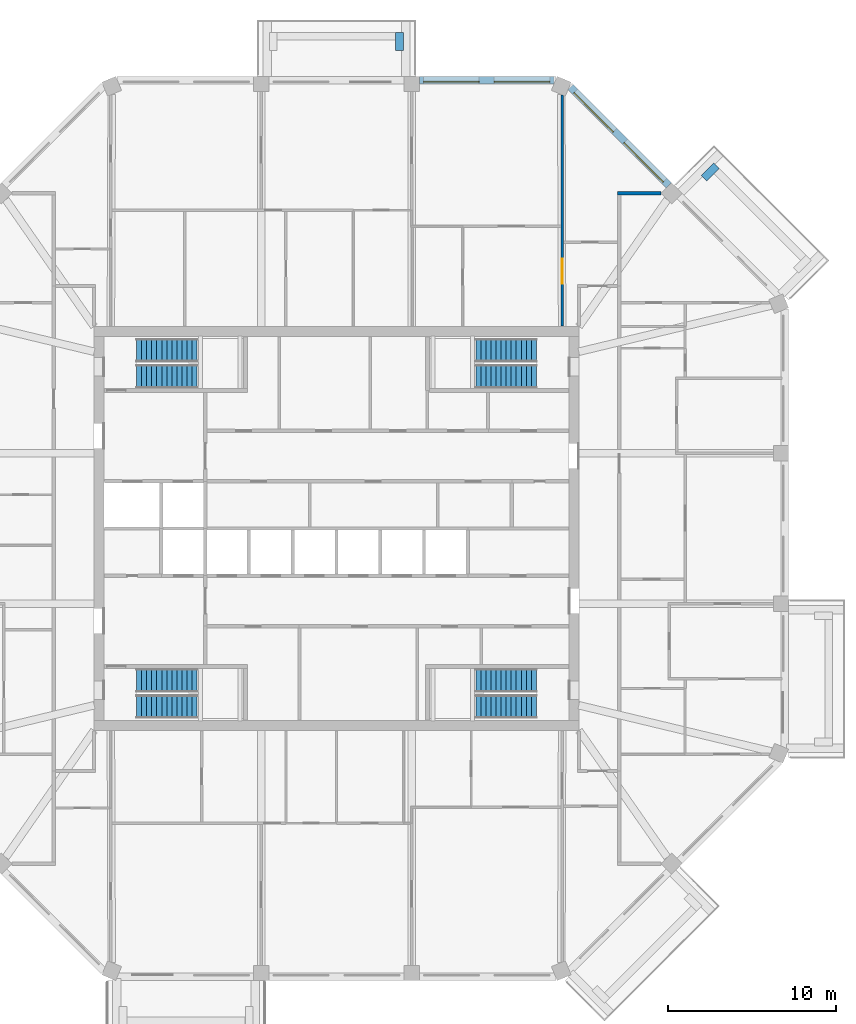
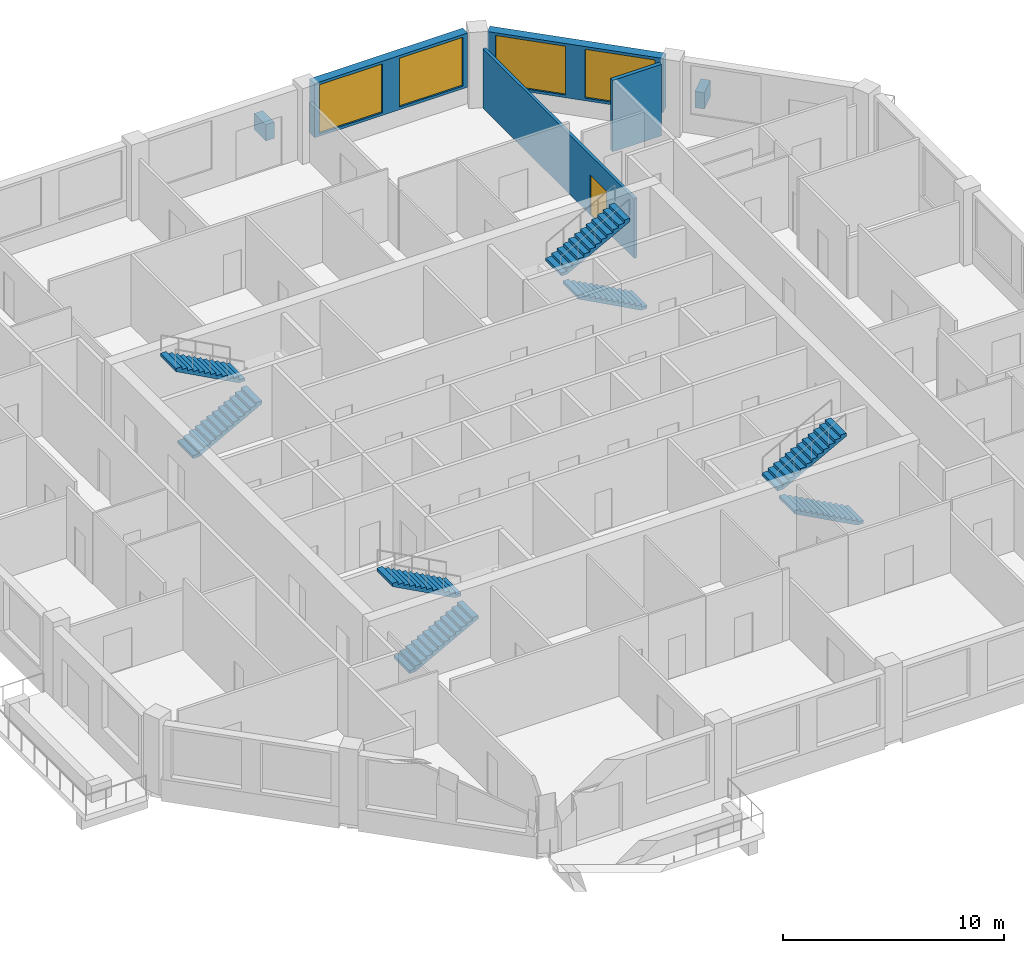
# One storey, part 10 of 11: 8 stair flights, 6 walls, 4 windows, 1 door, 5 openings, 4 elements without a shape of their own.
"""IFC4 building model written with IfcOpenShell, lengths in metres."""

from ifc_helpers import new_model, si_unit, direction, frame, frame_2d, origin, place, context, subcontext, project, spatial, polyline, rectangle, outline, extrude, material, layer, layer_set, type_object, element, fill, aggregate, save


model = new_model("IFC4")

# Units and contexts
model_context = context("Model", 3, precision=1e-05, world=origin(), true_north=direction((0.0, 1.0)))
body_context = subcontext(model_context, "Body", "Model", "MODEL_VIEW")
ifc_project = project(units=[si_unit("LENGTHUNIT", "METRE"), si_unit("AREAUNIT", "SQUARE_METRE"), si_unit("VOLUMEUNIT", "CUBIC_METRE"), si_unit("PLANEANGLEUNIT", "RADIAN"), si_unit("MASSUNIT", "GRAM", prefix="KILO")], contexts=[model_context])

# Site, building, storey
site_placement = place(None, origin())
site = spatial("IfcSite", under=ifc_project, at=site_placement, CompositionType="ELEMENT")
building_placement = place(site_placement, origin())
building = spatial("IfcBuilding", under=site, at=building_placement, Name="Msitu Wima Residences", CompositionType="ELEMENT")
storey_placement = place(building_placement, frame((0.0, 0.0, 293.699951171875)))
storey = spatial("IfcBuildingStorey", under=building, at=storey_placement, Name="L68", CompositionType="ELEMENT", Elevation=293.699951171875)

# Walls
ifc_material_1 = material(Name="Facing brick")
ifc_layer_1 = layer(ifc_material_1, 0.06494140625, Name="Facing brick")
ifc_material_2 = material(Name="Concrete C40/50", Category="concrete")
ifc_layer_2 = layer(ifc_material_2, 0.156005859375, Name="Concrete C40/50")
ifc_material_3 = material(Name="Waterproofing membrane")
ifc_layer_3 = layer(ifc_material_3, 0.00390625, Name="Waterproofing membrane")
ifc_material_4 = material(Name="Planting soil and planting")
ifc_layer_4 = layer(ifc_material_4, 0.22509765625, Name="Planting soil and planting")
ifc_layer_set_1 = layer_set([ifc_layer_1, ifc_layer_2, ifc_layer_3, ifc_layer_4], Name="Concrete C40/50")
wall_type_1 = type_object("IfcWallType", Name="Balcony planter PLANTER PL450", PredefinedType="USERDEFINED", material=ifc_layer_set_1)
for number, where, z_axis, x_axis, name in (
    (1, (21.829833984375, 20.804443359375, 0.0), (0.0, 0.0, 1.0), (0.707106781187, 0.707106781187, 0.0), "Balcony planter NE0 L68"),
    (2, (3.74365234375, 28.39990234375, 0.0), (0.0, 0.0, 1.0), (0.0, 1.0, 0.0), "Balcony planter N1 L68"),
):
    element("IfcWall", number, at=place(storey_placement, frame(where, z_axis=z_axis, x_axis=x_axis)), inside=storey, type_object=wall_type_1, Name=name, ObjectType="PLANTER", PredefinedType="USERDEFINED", context=body_context, shape_type="SweptSolid", body=[
        extrude(rectangle(XDim=1.050048828125, YDim=0.449951171875, at=frame_2d((0.52490234375, 0.0))), origin(), (0.0, 0.0, 1.0), 0.900146484375),
    ])

# Wall, openings, windows
ifc_material_5 = material(Name="Brick (red buff mix)", Category="masonry")
ifc_layer_5 = layer(ifc_material_5, 0.449951171875)
ifc_layer_set_2 = layer_set([ifc_layer_5], Name="Brick (red buff mix)")
wall_type_2 = type_object("IfcWallType", Name="Brick infill wall BW450", PredefinedType="SOLIDWALL", material=ifc_layer_set_2)
wall_1_placement = place(storey_placement, frame((19.743896484375, 20.380126953125, 0.900146484375), z_axis=(0.0, 0.0, 1.0), x_axis=(-0.707106781187, 0.707106781187, 0.0)))
wall_1 = element("IfcWall", 3, at=wall_1_placement, inside=storey, type_object=wall_type_2, Name="Brick infill wall L68 NE1", PredefinedType="SOLIDWALL", context=body_context, shape_type="SweptSolid", body=[
    extrude(rectangle(XDim=8.251220703125, YDim=0.449951171875, at=frame_2d((4.12548828125, 0.0))), origin(), (0.0, 0.0, 1.0), 3.0),
])
opening_1_placement = place(wall_1_placement, frame((0.37548828125, 0.0, 0.14990234375)))
opening_1 = element("IfcOpeningElement", 4, at=opening_1_placement, cuts=wall_1, Name="Opening W68-70.012", PredefinedType="OPENING", context=body_context, shape_type="SweptSolid", body=[
    extrude(rectangle(XDim=3.300048828125, YDim=2.699951171875, at=frame_2d((1.64990234375, 1.35009765625))), frame((0.0, 0.23486328125, 0.0), z_axis=(0.0, -1.0, 0.0), x_axis=(1.0, 0.0, 0.0)), (0.0, 0.0, 1.0), 0.469970703125),
])
opening_2_placement = place(wall_1_placement, frame((4.57568359375, 0.0, 0.14990234375)))
opening_2 = element("IfcOpeningElement", 5, at=opening_2_placement, cuts=wall_1, Name="Opening W68-70.013", PredefinedType="OPENING", context=body_context, shape_type="SweptSolid", body=[
    extrude(rectangle(XDim=3.300048828125, YDim=2.699951171875, at=frame_2d((1.64990234375, 1.35009765625))), frame((0.0, 0.23486328125, 0.0), z_axis=(0.0, -1.0, 0.0), x_axis=(1.0, 0.0, 0.0)), (0.0, 0.0, 1.0), 0.469970703125),
])
ifc_material_6 = material(Name="Anodised aluminium, bronze finish, clear low-emissivity double glazing", Category="aluminium")
window_type = type_object("IfcWindowType", Name="Window W3300x2700", PartitioningType="DOUBLE_PANEL_VERTICAL", PredefinedType="WINDOW", material=ifc_material_6)
window_1_placement = place(opening_1_placement, origin())
window_1 = element("IfcWindow", 6, at=window_1_placement, inside=storey, type_object=window_type, Name="Window L68 NE1.1", OverallHeight=2.699951171875, OverallWidth=3.300048828125, PartitioningType="SINGLE_PANEL", PredefinedType="WINDOW", context=body_context, shape_type="SweptSolid", body=[
    extrude(rectangle(XDim=3.300048828125, YDim=2.699951171875, at=frame_2d((1.64990234375, 1.35009765625))), frame((0.0, 0.135009765625, 0.0), z_axis=(0.0, -1.0, 0.0), x_axis=(1.0, 0.0, 0.0)), (0.0, 0.0, 1.0), 0.06005859375),
])
fill(opening_1, window_1)
window_2_placement = place(opening_2_placement, origin())
window_2 = element("IfcWindow", 7, at=window_2_placement, inside=storey, type_object=window_type, Name="Window L68 NE1.2", OverallHeight=2.699951171875, OverallWidth=3.300048828125, PartitioningType="SINGLE_PANEL", PredefinedType="WINDOW", context=body_context, shape_type="SweptSolid", body=[
    extrude(rectangle(XDim=3.300048828125, YDim=2.699951171875, at=frame_2d((1.64990234375, 1.35009765625))), frame((0.0, 0.135009765625, 0.0), z_axis=(0.0, -1.0, 0.0), x_axis=(1.0, 0.0, 0.0)), (0.0, 0.0, 1.0), 0.06005859375),
])
fill(opening_2, window_2)

wall_2_placement = place(storey_placement, frame((12.918701171875, 26.625, 0.900146484375), z_axis=(0.0, 0.0, 1.0), x_axis=(-1.0, 0.0, 0.0)))
wall_2 = element("IfcWall", 8, at=wall_2_placement, inside=storey, type_object=wall_type_2, Name="Brick infill wall L68 N0", PredefinedType="SOLIDWALL", context=body_context, shape_type="SweptSolid", body=[
    extrude(rectangle(XDim=8.0, YDim=0.449951171875, at=frame_2d((4.0, 0.0))), origin(), (0.0, 0.0, 1.0), 3.0),
])
opening_3_placement = place(wall_2_placement, frame((0.25, 0.0, 0.14990234375)))
opening_3 = element("IfcOpeningElement", 9, at=opening_3_placement, cuts=wall_2, Name="Opening W68-70.006", PredefinedType="OPENING", context=body_context, shape_type="SweptSolid", body=[
    extrude(rectangle(XDim=3.300048828125, YDim=2.699951171875, at=frame_2d((1.64990234375, 1.35009765625))), frame((0.0, 0.23486328125, 0.0), z_axis=(0.0, -1.0, 0.0), x_axis=(1.0, 0.0, 0.0)), (0.0, 0.0, 1.0), 0.469970703125),
])
opening_4_placement = place(wall_2_placement, frame((4.4501953125, 0.0, 0.14990234375)))
opening_4 = element("IfcOpeningElement", 10, at=opening_4_placement, cuts=wall_2, Name="Opening W68-70.007", PredefinedType="OPENING", context=body_context, shape_type="SweptSolid", body=[
    extrude(rectangle(XDim=3.300048828125, YDim=2.699951171875, at=frame_2d((1.64990234375, 1.35009765625))), frame((0.0, 0.23486328125, 0.0), z_axis=(0.0, -1.0, 0.0), x_axis=(1.0, 0.0, 0.0)), (0.0, 0.0, 1.0), 0.469970703125),
])
window_3_placement = place(opening_3_placement, origin())
window_3 = element("IfcWindow", 11, at=window_3_placement, inside=storey, type_object=window_type, Name="Window L68 N0.1", OverallHeight=2.699951171875, OverallWidth=3.300048828125, PartitioningType="SINGLE_PANEL", PredefinedType="WINDOW", context=body_context, shape_type="SweptSolid", body=[
    extrude(rectangle(XDim=3.300048828125, YDim=2.699951171875, at=frame_2d((1.64990234375, 1.35009765625))), frame((0.0, 0.135009765625, 0.0), z_axis=(0.0, -1.0, 0.0), x_axis=(1.0, 0.0, 0.0)), (0.0, 0.0, 1.0), 0.06005859375),
])
fill(opening_3, window_3)
window_4_placement = place(opening_4_placement, origin())
window_4 = element("IfcWindow", 12, at=window_4_placement, inside=storey, type_object=window_type, Name="Window L68 N0.2", OverallHeight=2.699951171875, OverallWidth=3.300048828125, PartitioningType="SINGLE_PANEL", PredefinedType="WINDOW", context=body_context, shape_type="SweptSolid", body=[
    extrude(rectangle(XDim=3.300048828125, YDim=2.699951171875, at=frame_2d((1.64990234375, 1.35009765625))), frame((0.0, 0.135009765625, 0.0), z_axis=(0.0, -1.0, 0.0), x_axis=(1.0, 0.0, 0.0)), (0.0, 0.0, 1.0), 0.06005859375),
])
fill(opening_4, window_4)

# Wall, opening, door
ifc_material_7 = material(Name="Plaster")
ifc_layer_6 = layer(ifc_material_7, 0.011962890625, Name="Plaster")
ifc_material_8 = material(Name="Concrete blockwork", Category="masonry")
ifc_layer_7 = layer(ifc_material_8, 0.1259765625, Name="Concrete blockwork")
ifc_layer_8 = layer(ifc_material_7, 0.011962890625, Name="Plaster")
ifc_layer_set_3 = layer_set([ifc_layer_6, ifc_layer_7, ifc_layer_8], Name="Concrete blockwork")
wall_type_3 = type_object("IfcWallType", Name="Partition PW150", PredefinedType="PARTITIONING", material=ifc_layer_set_3)
wall_3_placement = place(storey_placement, frame((13.406005859375, 12.030029296875, 0.0), z_axis=(0.0, 0.0, 1.0), x_axis=(0.0, 1.0, 0.0)))
wall_3 = element("IfcWall", 13, at=wall_3_placement, inside=storey, type_object=wall_type_3, Name="Partition", PredefinedType="PARTITIONING", context=body_context, shape_type="SweptSolid", body=[
    extrude(rectangle(XDim=13.701171875, YDim=0.14990234375, at=frame_2d((6.8505859375, 0.0))), origin(), (0.0, 0.0, 1.0), 3.300048828125),
])
opening_5_placement = place(wall_3_placement, frame((2.5, 0.0, 0.0)))
opening_5 = element("IfcOpeningElement", 14, at=opening_5_placement, cuts=wall_3, Name="Opening D68-70.022", PredefinedType="OPENING", context=body_context, shape_type="SweptSolid", body=[
    extrude(rectangle(XDim=1.5, YDim=2.199951171875, at=frame_2d((0.75, 1.10009765625))), frame((0.0, 0.0849609375, 0.0), z_axis=(0.0, -1.0, 0.0), x_axis=(1.0, 0.0, 0.0)), (0.0, 0.0, 1.0), 0.169921875),
])
ifc_material_9 = material(Name="Timber double door", Category="wood")
door_type = type_object("IfcDoorType", Name="Double door D04 1500x2200", OperationType="DOUBLE_DOOR_SINGLE_SWING", PredefinedType="DOOR", material=ifc_material_9)
door_placement = place(opening_5_placement, origin())
door = element("IfcDoor", 15, at=door_placement, inside=storey, type_object=door_type, Name="Double door", OperationType="DOUBLE_DOOR_SINGLE_SWING", OverallHeight=2.199951171875, OverallWidth=1.5, PredefinedType="DOOR", context=body_context, shape_type="SweptSolid", body=[
    extrude(rectangle(XDim=1.5, YDim=2.199951171875, at=frame_2d((0.75, 1.10009765625))), frame((0.0, 0.02490234375, 0.0), z_axis=(0.0, -1.0, 0.0), x_axis=(1.0, 0.0, 0.0)), (0.0, 0.0, 1.0), 0.050048828125),
])
fill(opening_5, door)

# Wall
ifc_layer_9 = layer(ifc_material_7, 0.011962890625, Name="Plaster")
ifc_material_10 = material(Name="Dense concrete blockwork", Category="masonry")
ifc_layer_10 = layer(ifc_material_10, 0.176025390625, Name="Dense concrete blockwork")
ifc_layer_11 = layer(ifc_material_7, 0.011962890625, Name="Plaster")
ifc_layer_set_4 = layer_set([ifc_layer_9, ifc_layer_10, ifc_layer_11], Name="Dense concrete blockwork")
wall_type_4 = type_object("IfcWallType", Name="Party wall PW200", PredefinedType="PARTITIONING", material=ifc_layer_set_4)
wall_4_placement = place(storey_placement, frame((16.699951171875, 19.90283203125, 0.0), z_axis=(0.0, 0.0, 1.0), x_axis=(1.0, 0.0, 0.0)))
element("IfcWall", 16, at=wall_4_placement, inside=storey, type_object=wall_type_4, Name="Party wall", PredefinedType="PARTITIONING", context=body_context, shape_type="SweptSolid", body=[
    extrude(rectangle(XDim=2.566650390625, YDim=0.199951171875, at=frame_2d((1.283203125, 0.0))), origin(), (0.0, 0.0, 1.0), 3.949951171875),
])

# Stair, stair flights
stair_type = type_object("IfcStairType", Name="Exit stair ES1615-140", PredefinedType="HALF_TURN_STAIR", material=ifc_material_2)
stair_1_placement = place(storey_placement, origin())
stair_1 = element("IfcStair", 17, at=stair_1_placement, inside=storey, type_object=stair_type, Name="Exit stair 1", PredefinedType="HALF_TURN_STAIR")
stair_flight_type = type_object("IfcStairFlightType", Name="Exit stair flight ES1615-140", PredefinedType="STRAIGHT", material=ifc_material_2)
stair_flight_1_placement = place(storey_placement, frame((-11.875, 9.02490234375, 0.0), z_axis=(0.0, 0.0, 1.0), x_axis=(1.0, 0.0, 0.0)))
stair_flight_1 = element("IfcStairFlight", 18, at=stair_flight_1_placement, type_object=stair_flight_type, Name="S1 flight 1", NumberOfRisers=13, NumberOfTreads=12, PredefinedType="STRAIGHT", RiserHeight=0.161538462, TreadLength=0.3, context=body_context, shape_type="SweptSolid", body=[
    extrude(outline(polyline([(0.0, 0.0), (0.0, 0.16162109375), (0.300048828125, 0.16162109375), (0.300048828125, 0.322998046875), (0.60009765625, 0.322998046875), (0.60009765625, 0.484619140625), (0.89990234375, 0.484619140625), (0.89990234375, 0.646240234375), (1.199951171875, 0.646240234375), (1.199951171875, 0.8076171875), (1.5, 0.8076171875), (1.5, 0.96923828125), (1.800048828125, 0.96923828125), (1.800048828125, 1.130859375), (2.10009765625, 1.130859375), (2.10009765625, 1.292236328125), (2.39990234375, 1.292236328125), (2.39990234375, 1.453857421875), (2.699951171875, 1.453857421875), (2.699951171875, 1.615478515625), (3.0, 1.615478515625), (3.0, 1.77685546875), (3.300048828125, 1.77685546875), (3.300048828125, 1.9384765625), (3.60009765625, 1.9384765625), (3.60009765625, 2.10009765625), (3.60009765625, 1.768310546875), (0.316162109375, 0.0), (0.0, 0.0)])), frame((0.0, 0.699951171875, 0.0), z_axis=(0.0, -1.0, 0.0), x_axis=(1.0, 0.0, 0.0)), (0.0, 0.0, 1.0), 1.39990234375),
])
stair_flight_2_placement = place(storey_placement, frame((-8.27490234375, 10.574951171875, 2.10009765625), z_axis=(0.0, 0.0, 1.0), x_axis=(-1.0, 0.0, 0.0)))
stair_flight_2 = element("IfcStairFlight", 19, at=stair_flight_2_placement, type_object=stair_flight_type, Name="S1 flight 2", NumberOfRisers=13, NumberOfTreads=12, PredefinedType="STRAIGHT", RiserHeight=0.161538462, TreadLength=0.3, context=body_context, shape_type="SweptSolid", body=[
    extrude(outline(polyline([(0.0, 0.0), (0.0, 0.16162109375), (0.300048828125, 0.16162109375), (0.300048828125, 0.322998046875), (0.60009765625, 0.322998046875), (0.60009765625, 0.484619140625), (0.89990234375, 0.484619140625), (0.89990234375, 0.646240234375), (1.199951171875, 0.646240234375), (1.199951171875, 0.8076171875), (1.5, 0.8076171875), (1.5, 0.96923828125), (1.800048828125, 0.96923828125), (1.800048828125, 1.130859375), (2.10009765625, 1.130859375), (2.10009765625, 1.292236328125), (2.39990234375, 1.292236328125), (2.39990234375, 1.453857421875), (2.699951171875, 1.453857421875), (2.699951171875, 1.615478515625), (3.0, 1.615478515625), (3.0, 1.77685546875), (3.300048828125, 1.77685546875), (3.300048828125, 1.9384765625), (3.60009765625, 1.9384765625), (3.60009765625, 2.10009765625), (3.60009765625, 1.768310546875), (0.316162109375, 0.0), (0.0, 0.0)])), frame((0.0, 0.699951171875, 0.0), z_axis=(0.0, -1.0, 0.0), x_axis=(1.0, 0.0, 0.0)), (0.0, 0.0, 1.0), 1.39990234375),
])
aggregate(stair_1, [stair_flight_1, stair_flight_2])

stair_2_placement = place(storey_placement, origin())
stair_2 = element("IfcStair", 20, at=stair_2_placement, inside=storey, type_object=stair_type, Name="Exit stair 2", PredefinedType="HALF_TURN_STAIR")
stair_flight_3_placement = place(storey_placement, frame((-11.875, -10.574951171875, 0.0), z_axis=(0.0, 0.0, 1.0), x_axis=(1.0, 0.0, 0.0)))
stair_flight_3 = element("IfcStairFlight", 21, at=stair_flight_3_placement, type_object=stair_flight_type, Name="S2 flight 1", NumberOfRisers=13, NumberOfTreads=12, PredefinedType="STRAIGHT", RiserHeight=0.161538462, TreadLength=0.3, context=body_context, shape_type="SweptSolid", body=[
    extrude(outline(polyline([(0.0, 0.0), (0.0, 0.16162109375), (0.300048828125, 0.16162109375), (0.300048828125, 0.322998046875), (0.60009765625, 0.322998046875), (0.60009765625, 0.484619140625), (0.89990234375, 0.484619140625), (0.89990234375, 0.646240234375), (1.199951171875, 0.646240234375), (1.199951171875, 0.8076171875), (1.5, 0.8076171875), (1.5, 0.96923828125), (1.800048828125, 0.96923828125), (1.800048828125, 1.130859375), (2.10009765625, 1.130859375), (2.10009765625, 1.292236328125), (2.39990234375, 1.292236328125), (2.39990234375, 1.453857421875), (2.699951171875, 1.453857421875), (2.699951171875, 1.615478515625), (3.0, 1.615478515625), (3.0, 1.77685546875), (3.300048828125, 1.77685546875), (3.300048828125, 1.9384765625), (3.60009765625, 1.9384765625), (3.60009765625, 2.10009765625), (3.60009765625, 1.768310546875), (0.316162109375, 0.0), (0.0, 0.0)])), frame((0.0, 0.699951171875, 0.0), z_axis=(0.0, -1.0, 0.0), x_axis=(1.0, 0.0, 0.0)), (0.0, 0.0, 1.0), 1.39990234375),
])
stair_flight_4_placement = place(storey_placement, frame((-8.27490234375, -9.02490234375, 2.10009765625), z_axis=(0.0, 0.0, 1.0), x_axis=(-1.0, 0.0, 0.0)))
stair_flight_4 = element("IfcStairFlight", 22, at=stair_flight_4_placement, type_object=stair_flight_type, Name="S2 flight 2", NumberOfRisers=13, NumberOfTreads=12, PredefinedType="STRAIGHT", RiserHeight=0.161538462, TreadLength=0.3, context=body_context, shape_type="SweptSolid", body=[
    extrude(outline(polyline([(0.0, 0.0), (0.0, 0.16162109375), (0.300048828125, 0.16162109375), (0.300048828125, 0.322998046875), (0.60009765625, 0.322998046875), (0.60009765625, 0.484619140625), (0.89990234375, 0.484619140625), (0.89990234375, 0.646240234375), (1.199951171875, 0.646240234375), (1.199951171875, 0.8076171875), (1.5, 0.8076171875), (1.5, 0.96923828125), (1.800048828125, 0.96923828125), (1.800048828125, 1.130859375), (2.10009765625, 1.130859375), (2.10009765625, 1.292236328125), (2.39990234375, 1.292236328125), (2.39990234375, 1.453857421875), (2.699951171875, 1.453857421875), (2.699951171875, 1.615478515625), (3.0, 1.615478515625), (3.0, 1.77685546875), (3.300048828125, 1.77685546875), (3.300048828125, 1.9384765625), (3.60009765625, 1.9384765625), (3.60009765625, 2.10009765625), (3.60009765625, 1.768310546875), (0.316162109375, 0.0), (0.0, 0.0)])), frame((0.0, 0.699951171875, 0.0), z_axis=(0.0, -1.0, 0.0), x_axis=(1.0, 0.0, 0.0)), (0.0, 0.0, 1.0), 1.39990234375),
])
aggregate(stair_2, [stair_flight_3, stair_flight_4])

stair_3_placement = place(storey_placement, origin())
stair_3 = element("IfcStair", 23, at=stair_3_placement, inside=storey, type_object=stair_type, Name="Exit stair 3", PredefinedType="HALF_TURN_STAIR")
stair_flight_5_placement = place(storey_placement, frame((11.875, 9.02490234375, 0.0), z_axis=(0.0, 0.0, 1.0), x_axis=(-1.0, 0.0, 0.0)))
stair_flight_5 = element("IfcStairFlight", 24, at=stair_flight_5_placement, type_object=stair_flight_type, Name="S3 flight 1", NumberOfRisers=13, NumberOfTreads=12, PredefinedType="STRAIGHT", RiserHeight=0.161538462, TreadLength=0.3, context=body_context, shape_type="SweptSolid", body=[
    extrude(outline(polyline([(0.0, 0.0), (0.0, 0.16162109375), (0.300048828125, 0.16162109375), (0.300048828125, 0.322998046875), (0.60009765625, 0.322998046875), (0.60009765625, 0.484619140625), (0.89990234375, 0.484619140625), (0.89990234375, 0.646240234375), (1.199951171875, 0.646240234375), (1.199951171875, 0.8076171875), (1.5, 0.8076171875), (1.5, 0.96923828125), (1.800048828125, 0.96923828125), (1.800048828125, 1.130859375), (2.10009765625, 1.130859375), (2.10009765625, 1.292236328125), (2.39990234375, 1.292236328125), (2.39990234375, 1.453857421875), (2.699951171875, 1.453857421875), (2.699951171875, 1.615478515625), (3.0, 1.615478515625), (3.0, 1.77685546875), (3.300048828125, 1.77685546875), (3.300048828125, 1.9384765625), (3.60009765625, 1.9384765625), (3.60009765625, 2.10009765625), (3.60009765625, 1.768310546875), (0.316162109375, 0.0), (0.0, 0.0)])), frame((0.0, 0.699951171875, 0.0), z_axis=(0.0, -1.0, 0.0), x_axis=(1.0, 0.0, 0.0)), (0.0, 0.0, 1.0), 1.39990234375),
])
stair_flight_6_placement = place(storey_placement, frame((8.27490234375, 10.574951171875, 2.10009765625), z_axis=(0.0, 0.0, 1.0), x_axis=(1.0, 0.0, 0.0)))
stair_flight_6 = element("IfcStairFlight", 25, at=stair_flight_6_placement, type_object=stair_flight_type, Name="S3 flight 2", NumberOfRisers=13, NumberOfTreads=12, PredefinedType="STRAIGHT", RiserHeight=0.161538462, TreadLength=0.3, context=body_context, shape_type="SweptSolid", body=[
    extrude(outline(polyline([(0.0, 0.0), (0.0, 0.16162109375), (0.300048828125, 0.16162109375), (0.300048828125, 0.322998046875), (0.60009765625, 0.322998046875), (0.60009765625, 0.484619140625), (0.89990234375, 0.484619140625), (0.89990234375, 0.646240234375), (1.199951171875, 0.646240234375), (1.199951171875, 0.8076171875), (1.5, 0.8076171875), (1.5, 0.96923828125), (1.800048828125, 0.96923828125), (1.800048828125, 1.130859375), (2.10009765625, 1.130859375), (2.10009765625, 1.292236328125), (2.39990234375, 1.292236328125), (2.39990234375, 1.453857421875), (2.699951171875, 1.453857421875), (2.699951171875, 1.615478515625), (3.0, 1.615478515625), (3.0, 1.77685546875), (3.300048828125, 1.77685546875), (3.300048828125, 1.9384765625), (3.60009765625, 1.9384765625), (3.60009765625, 2.10009765625), (3.60009765625, 1.768310546875), (0.316162109375, 0.0), (0.0, 0.0)])), frame((0.0, 0.699951171875, 0.0), z_axis=(0.0, -1.0, 0.0), x_axis=(1.0, 0.0, 0.0)), (0.0, 0.0, 1.0), 1.39990234375),
])
aggregate(stair_3, [stair_flight_5, stair_flight_6])

stair_4_placement = place(storey_placement, origin())
stair_4 = element("IfcStair", 26, at=stair_4_placement, inside=storey, type_object=stair_type, Name="Exit stair 4", PredefinedType="HALF_TURN_STAIR")
stair_flight_7_placement = place(storey_placement, frame((11.875, -10.574951171875, 0.0), z_axis=(0.0, 0.0, 1.0), x_axis=(-1.0, 0.0, 0.0)))
stair_flight_7 = element("IfcStairFlight", 27, at=stair_flight_7_placement, type_object=stair_flight_type, Name="S4 flight 1", NumberOfRisers=13, NumberOfTreads=12, PredefinedType="STRAIGHT", RiserHeight=0.161538462, TreadLength=0.3, context=body_context, shape_type="SweptSolid", body=[
    extrude(outline(polyline([(0.0, 0.0), (0.0, 0.16162109375), (0.300048828125, 0.16162109375), (0.300048828125, 0.322998046875), (0.60009765625, 0.322998046875), (0.60009765625, 0.484619140625), (0.89990234375, 0.484619140625), (0.89990234375, 0.646240234375), (1.199951171875, 0.646240234375), (1.199951171875, 0.8076171875), (1.5, 0.8076171875), (1.5, 0.96923828125), (1.800048828125, 0.96923828125), (1.800048828125, 1.130859375), (2.10009765625, 1.130859375), (2.10009765625, 1.292236328125), (2.39990234375, 1.292236328125), (2.39990234375, 1.453857421875), (2.699951171875, 1.453857421875), (2.699951171875, 1.615478515625), (3.0, 1.615478515625), (3.0, 1.77685546875), (3.300048828125, 1.77685546875), (3.300048828125, 1.9384765625), (3.60009765625, 1.9384765625), (3.60009765625, 2.10009765625), (3.60009765625, 1.768310546875), (0.316162109375, 0.0), (0.0, 0.0)])), frame((0.0, 0.699951171875, 0.0), z_axis=(0.0, -1.0, 0.0), x_axis=(1.0, 0.0, 0.0)), (0.0, 0.0, 1.0), 1.39990234375),
])
stair_flight_8_placement = place(storey_placement, frame((8.27490234375, -9.02490234375, 2.10009765625), z_axis=(0.0, 0.0, 1.0), x_axis=(1.0, 0.0, 0.0)))
stair_flight_8 = element("IfcStairFlight", 28, at=stair_flight_8_placement, type_object=stair_flight_type, Name="S4 flight 2", NumberOfRisers=13, NumberOfTreads=12, PredefinedType="STRAIGHT", RiserHeight=0.161538462, TreadLength=0.3, context=body_context, shape_type="SweptSolid", body=[
    extrude(outline(polyline([(0.0, 0.0), (0.0, 0.16162109375), (0.300048828125, 0.16162109375), (0.300048828125, 0.322998046875), (0.60009765625, 0.322998046875), (0.60009765625, 0.484619140625), (0.89990234375, 0.484619140625), (0.89990234375, 0.646240234375), (1.199951171875, 0.646240234375), (1.199951171875, 0.8076171875), (1.5, 0.8076171875), (1.5, 0.96923828125), (1.800048828125, 0.96923828125), (1.800048828125, 1.130859375), (2.10009765625, 1.130859375), (2.10009765625, 1.292236328125), (2.39990234375, 1.292236328125), (2.39990234375, 1.453857421875), (2.699951171875, 1.453857421875), (2.699951171875, 1.615478515625), (3.0, 1.615478515625), (3.0, 1.77685546875), (3.300048828125, 1.77685546875), (3.300048828125, 1.9384765625), (3.60009765625, 1.9384765625), (3.60009765625, 2.10009765625), (3.60009765625, 1.768310546875), (0.316162109375, 0.0), (0.0, 0.0)])), frame((0.0, 0.699951171875, 0.0), z_axis=(0.0, -1.0, 0.0), x_axis=(1.0, 0.0, 0.0)), (0.0, 0.0, 1.0), 1.39990234375),
])
aggregate(stair_4, [stair_flight_7, stair_flight_8])

save(model, "model.ifc")
